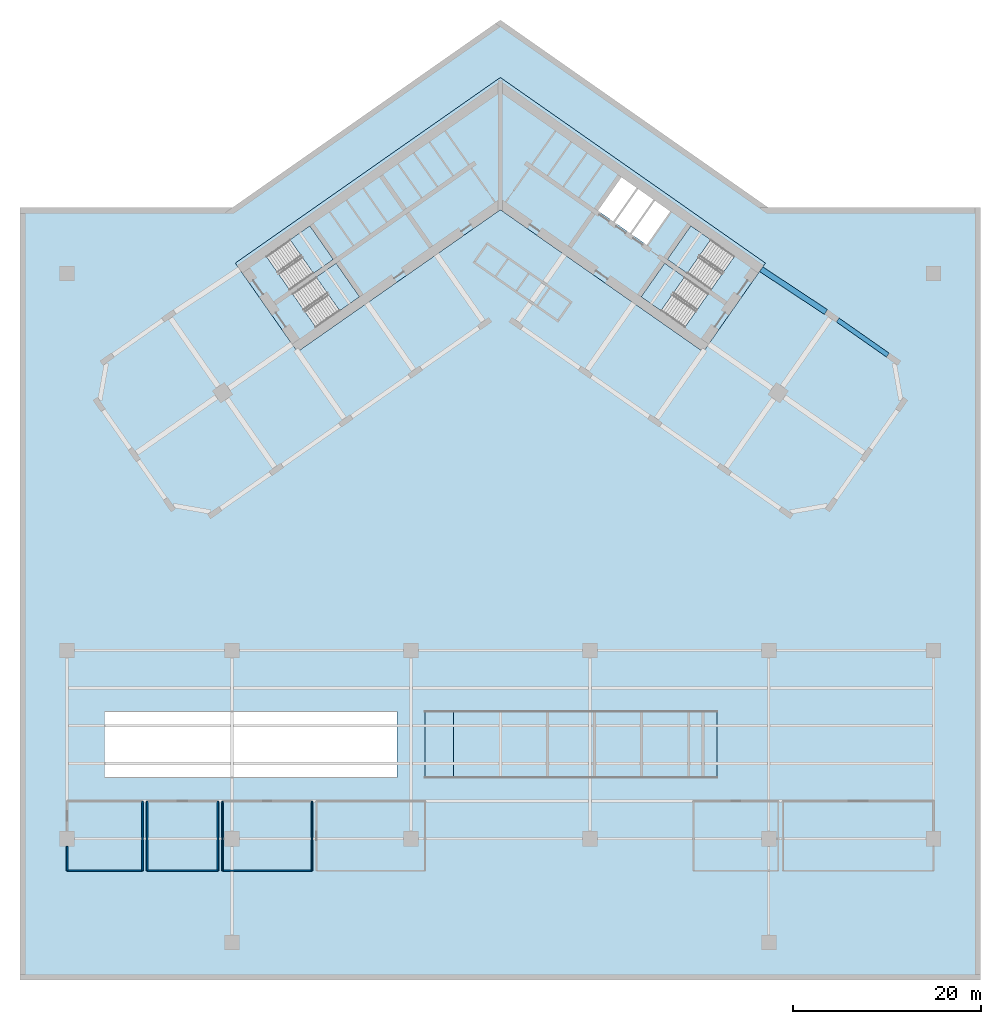
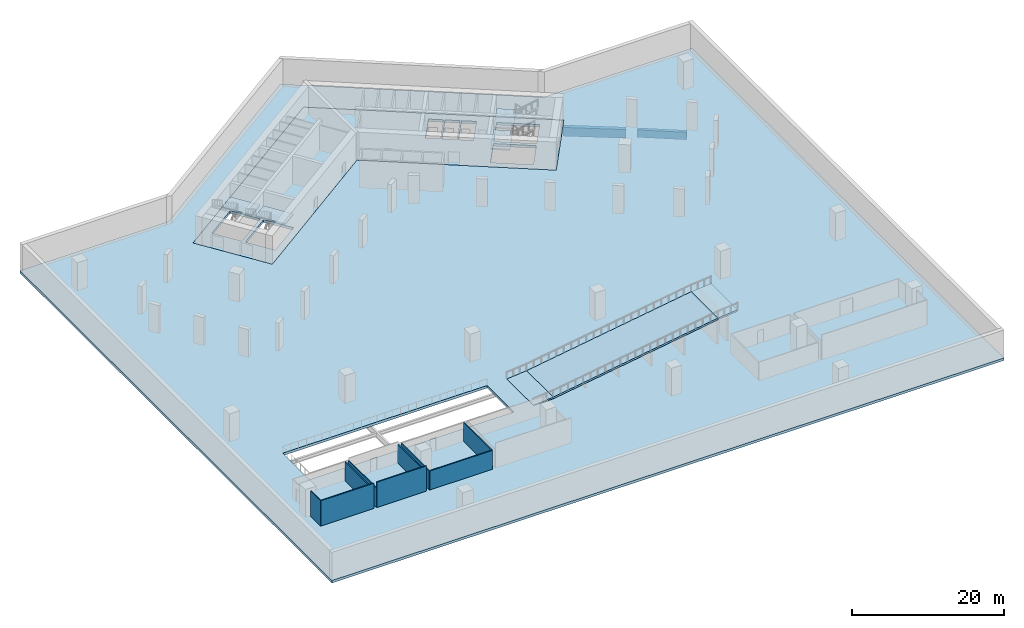
# One storey, part 2 of 11: 9 slabs, 9 walls, 2 beams, 4 elements without a shape of their own.
"""IFC4 building model written with IfcOpenShell, lengths in metres."""

from ifc_helpers import new_model, si_unit, direction, frame, frame_2d, origin, origin_2d, place, context, subcontext, project, spatial, polyline, rectangle, outline, extrude, material, layer, layer_set, material_profile, profile_set, type_object, element, aggregate, save


model = new_model("IFC4")

# Units and contexts
model_context = context("Model", 3, precision=1e-05, world=origin(), true_north=direction((0.0, 1.0)))
body_context = subcontext(model_context, "Body", "Model", "MODEL_VIEW")
ifc_project = project(units=[si_unit("LENGTHUNIT", "METRE"), si_unit("AREAUNIT", "SQUARE_METRE"), si_unit("VOLUMEUNIT", "CUBIC_METRE"), si_unit("PLANEANGLEUNIT", "RADIAN"), si_unit("MASSUNIT", "GRAM", prefix="KILO")], contexts=[model_context])

# Site, building, storey
site_placement = place(None, origin())
site = spatial("IfcSite", under=ifc_project, at=site_placement, CompositionType="ELEMENT")
building_placement = place(site_placement, origin())
building = spatial("IfcBuilding", under=site, at=building_placement, Name="Tel Ilan Convention Tower", CompositionType="ELEMENT")
storey_placement = place(building_placement, frame((0.0, 0.0, -4.5)))
storey = spatial("IfcBuildingStorey", under=building, at=storey_placement, Name="B1", CompositionType="ELEMENT", Elevation=-4.5)

# Beams
ifc_material_1 = material(Name="Concrete C40/50", Category="concrete")
ifc_material_profile_1 = material_profile(ifc_material_1, rectangle(XDim=0.5, YDim=1.199951171875, at=origin_2d()), Name="RC 500x1200")
ifc_profile_set_1 = profile_set([ifc_material_profile_1], Name="Concrete C40/50")
beam_type_1 = type_object("IfcBeamType", Name="Beam RC 500x1200 Concrete C40/50", PredefinedType="BEAM", material=ifc_profile_set_1)
beam_1_placement = place(storey_placement, frame((41.135498046875, -16.656494140625, -1.010009765625), z_axis=(-0.819178980414, 0.573537965655, 0.0), x_axis=(-0.573537965655, -0.819178980414, 0.0)))
element("IfcBeam", 1, at=beam_1_placement, inside=storey, type_object=beam_type_1, Name="B1 beam E-E-BC-E-B4", PredefinedType="BEAM", context=body_context, shape_type="SweptSolid", body=[
    extrude(rectangle(XDim=0.5, YDim=1.199951171875, at=origin_2d()), origin(), (0.0, 0.0, 1.0), 6.5),
])
ifc_material_2 = material(Name="Concrete C40/50", Category="concrete")
ifc_material_profile_2 = material_profile(ifc_material_2, rectangle(XDim=0.60009765625, YDim=1.39990234375, at=origin_2d()), Name="RC 600x1400")
ifc_profile_set_2 = profile_set([ifc_material_profile_2], Name="Concrete C40/50")
beam_type_2 = type_object("IfcBeamType", Name="Beam RC 600x1400 Concrete C40/50", PredefinedType="BEAM", material=ifc_profile_set_2)
beam_2_placement = place(storey_placement, frame((34.570556640625, -12.08447265625, -1.110107421875), z_axis=(-0.834273603487, 0.551350663847, 0.0), x_axis=(-0.551350663847, -0.834273603487, 0.0)))
element("IfcBeam", 2, at=beam_2_placement, inside=storey, type_object=beam_type_2, Name="B1 beam E-E-B4-core", PredefinedType="BEAM", context=body_context, shape_type="SweptSolid", body=[
    extrude(rectangle(XDim=0.60009765625, YDim=1.39990234375, at=origin_2d()), origin(), (0.0, 0.0, 1.0), 8.2529296875),
])

# Slabs
ifc_material_3 = material(Name="Concrete C40/50", Category="concrete")
ifc_layer_1 = layer(ifc_material_3, 0.409912109375)
ifc_layer_set_1 = layer_set([ifc_layer_1], Name="Basement Floor Slab 410 mm C40/50")
slab_type_1 = type_object("IfcSlabType", Name="Basement Floor Slab 410 mm C40/50", PredefinedType="FLOOR", material=ifc_layer_set_1)
slab_1_placement = place(storey_placement, frame((0.0, 0.0, -0.409912109375)))
element("IfcSlab", 3, at=slab_1_placement, inside=storey, type_object=slab_type_1, Name="B1 floor slab", PredefinedType="FLOOR", context=body_context, shape_type="SweptSolid", body=[
    extrude(outline(polyline([(-28.45166015625, -1.0), (0.0, 18.922119140625), (28.45166015625, -1.0), (51.0, -1.0), (51.0, -83.0), (-51.0, -83.0), (-51.0, -1.0), (-28.45166015625, -1.0)]), holes=[polyline([(21.54345703125, -16.3056640625), (28.1396484375, -6.885498046875), (0.0, 12.818115234375), (-28.1396484375, -6.885498046875), (-21.54345703125, -16.3056640625), (0.0, -1.220703125), (21.54345703125, -16.3056640625)]), polyline([(-11.0, -54.5), (-42.0, -54.5), (-42.0, -61.5), (-11.0, -61.5), (-11.0, -54.5)])]), origin(), (0.0, 0.0, 1.0), 0.409912109375),
])
ifc_material_4 = material(Name="Concrete C40/50", Category="concrete")
ifc_layer_2 = layer(ifc_material_4, 0.280029296875)
ifc_layer_set_2 = layer_set([ifc_layer_2], Name="Concrete Car Ramp Slab 280 mm C40/50")
slab_type_2 = type_object("IfcSlabType", Name="Concrete Car Ramp Slab 280 mm", PredefinedType="FLOOR", material=ifc_layer_set_2)
slab_2_placement = place(storey_placement, frame((-8.0, -58.0, 0.0), z_axis=(0.0, 0.0, 1.0), x_axis=(1.0, 0.0, 0.0)))
element("IfcSlab", 4, at=slab_2_placement, inside=storey, type_object=slab_type_2, Name="Car Park Ramp B1-L00 slab 1", PredefinedType="FLOOR", context=body_context, shape_type="SweptSolid", body=[
    extrude(outline(polyline([(0.0, 0.0), (3.0, 0.0), (3.0, 0.280029296875), (0.0, 0.0), (0.0, 0.0)])), frame((0.0, 3.5, 0.0), z_axis=(0.0, -1.0, 0.0), x_axis=(1.0, 0.0, 0.0)), (0.0, 0.0, 1.0), 7.0),
])
slab_3_placement = place(storey_placement, frame((-5.0, -61.5, 0.280029296875), z_axis=(-0.155676246479, 0.0, 0.987808132322), x_axis=(0.987808132322, 0.0, 0.155676246479)))
element("IfcSlab", 5, at=slab_3_placement, inside=storey, type_object=slab_type_2, Name="Car Park Ramp B1-L00 slab 2", PredefinedType="FLOOR", context=body_context, shape_type="SweptSolid", body=[
    extrude(outline(polyline([(0.0, 0.0), (25.308558597531455, 0.0), (25.308558597531455, 6.999999999999999), (0.0, 6.999999999999999), (0.0, 0.0)])), origin(), (-0.155676246479, 0.0, -0.987808132322), 0.280029296875),
])
slab_4_placement = place(storey_placement, frame((20.0, -61.5, 4.219970703125), z_axis=(-0.092939090985, 0.0, 0.995671796009), x_axis=(0.995671796009, 0.0, 0.092939090985)))
element("IfcSlab", 6, at=slab_4_placement, inside=storey, type_object=slab_type_2, Name="Car Park Ramp B1-L00 slab 3", PredefinedType="FLOOR", context=body_context, shape_type="SweptSolid", body=[
    extrude(outline(polyline([(0.0, 0.0), (3.0130410563263665, 0.0), (3.0130410563263665, 7.0), (0.0, 7.0), (0.0, 0.0)])), origin(), (-0.092939090985, 0.0, -0.995671796009), 0.280029296875),
])

# Stair, slab
ifc_material_5 = material(Name="Concrete C40/50", Category="concrete")
stair_type = type_object("IfcStairType", Name="Pressurised Exit Stair 24 risers 188 mm", PredefinedType="HALF_TURN_STAIR", material=ifc_material_5)
stair_1_placement = place(storey_placement, origin())
stair_1 = element("IfcStair", 7, at=stair_1_placement, inside=storey, type_object=stair_type, Name="B1 Pressurised Stair S1", PredefinedType="HALF_TURN_STAIR")
ifc_material_6 = material(Name="Concrete C40/50", Category="concrete")
ifc_layer_3 = layer(ifc_material_6, 0.199951171875)
ifc_layer_set_3 = layer_set([ifc_layer_3], Name="Concrete Stair Landing 200 mm C40/50")
slab_type_3 = type_object("IfcSlabType", Name="Concrete Stair Landing 200 mm", PredefinedType="LANDING", material=ifc_layer_set_3)
slab_5_placement = place(storey_placement, frame((0.0, 0.0, 2.050048828125)))
slab_5 = element("IfcSlab", 8, at=slab_5_placement, type_object=slab_type_3, Name="S1 landing 1", PredefinedType="LANDING", context=body_context, shape_type="SweptSolid", body=[
    extrude(outline(polyline([(-19.837158203125, -7.969482421875), (-17.7314453125, -6.494873046875), (-20.226318359375, -2.931640625), (-22.332275390625, -4.406005859375), (-19.837158203125, -7.969482421875)])), origin(), (0.0, 0.0, 1.0), 0.199951171875),
])
aggregate(stair_1, [slab_5])

stair_2_placement = place(storey_placement, origin())
stair_2 = element("IfcStair", 9, at=stair_2_placement, inside=storey, type_object=stair_type, Name="B1 Pressurised Stair S2", PredefinedType="HALF_TURN_STAIR")
slab_6_placement = place(storey_placement, frame((0.0, 0.0, 2.050048828125)))
slab_6 = element("IfcSlab", 10, at=slab_6_placement, type_object=slab_type_3, Name="S2 landing 1", PredefinedType="LANDING", context=body_context, shape_type="SweptSolid", body=[
    extrude(outline(polyline([(-17.055419921875, -11.9423828125), (-14.949462890625, -10.4677734375), (-17.444580078125, -6.904541015625), (-19.550537109375, -8.37890625), (-17.055419921875, -11.9423828125)])), origin(), (0.0, 0.0, 1.0), 0.199951171875),
])
aggregate(stair_2, [slab_6])

stair_3_placement = place(storey_placement, origin())
stair_3 = element("IfcStair", 11, at=stair_3_placement, inside=storey, type_object=stair_type, Name="B1 Pressurised Stair S3", PredefinedType="HALF_TURN_STAIR")
slab_7_placement = place(storey_placement, frame((0.0, 0.0, 2.050048828125)))
slab_7 = element("IfcSlab", 12, at=slab_7_placement, type_object=slab_type_3, Name="S3 landing 1", PredefinedType="LANDING", context=body_context, shape_type="SweptSolid", body=[
    extrude(outline(polyline([(22.332275390625, -4.406005859375), (20.226318359375, -2.931640625), (17.7314453125, -6.494873046875), (19.837158203125, -7.969482421875), (22.332275390625, -4.406005859375)])), origin(), (0.0, 0.0, 1.0), 0.199951171875),
])
aggregate(stair_3, [slab_7])

stair_4_placement = place(storey_placement, origin())
stair_4 = element("IfcStair", 13, at=stair_4_placement, inside=storey, type_object=stair_type, Name="B1 Pressurised Stair S4", PredefinedType="HALF_TURN_STAIR")
slab_8_placement = place(storey_placement, frame((0.0, 0.0, 2.050048828125)))
slab_8 = element("IfcSlab", 14, at=slab_8_placement, type_object=slab_type_3, Name="S4 landing 1", PredefinedType="LANDING", context=body_context, shape_type="SweptSolid", body=[
    extrude(outline(polyline([(19.550537109375, -8.37890625), (17.444580078125, -6.904541015625), (14.949462890625, -10.4677734375), (17.055419921875, -11.9423828125), (19.550537109375, -8.37890625)])), origin(), (0.0, 0.0, 1.0), 0.199951171875),
])
aggregate(stair_4, [slab_8])

# Slab
ifc_material_7 = material(Name="Concrete C40/50", Category="concrete")
ifc_layer_4 = layer(ifc_material_7, 0.409912109375)
ifc_layer_set_4 = layer_set([ifc_layer_4], Name="Core Floor Slab 410 mm C40/50")
slab_type_4 = type_object("IfcSlabType", Name="Core Floor Slab 410 mm C40/50", PredefinedType="FLOOR", material=ifc_layer_set_4)
slab_9_placement = place(storey_placement, frame((0.0, 0.0, -0.409912109375)))
element("IfcSlab", 15, at=slab_9_placement, inside=storey, type_object=slab_type_4, Name="B1 core floor 1", PredefinedType="FLOOR", context=body_context, shape_type="SweptSolid", body=[
    extrude(outline(polyline([(-28.1396484375, -6.885498046875), (0.0, 12.818115234375), (28.1396484375, -6.885498046875), (21.54345703125, -16.3056640625), (0.0, -1.220703125), (-21.54345703125, -16.3056640625), (-28.1396484375, -6.885498046875)]), holes=[polyline([(-22.072021484375, -10.144775390625), (-19.5771484375, -13.7080078125), (-14.949462890625, -10.4677734375), (-17.444580078125, -6.904541015625), (-22.072021484375, -10.144775390625)]), polyline([(14.949462890625, -10.4677734375), (19.5771484375, -13.7080078125), (22.072021484375, -10.144775390625), (17.444580078125, -6.904541015625), (14.949462890625, -10.4677734375)]), polyline([(-20.226318359375, -2.931640625), (-24.85400390625, -6.171875), (-22.35888671875, -9.735107421875), (-17.7314453125, -6.494873046875), (-20.226318359375, -2.931640625)]), polyline([(17.7314453125, -6.494873046875), (22.35888671875, -9.735107421875), (24.85400390625, -6.171875), (20.226318359375, -2.931640625), (17.7314453125, -6.494873046875)]), polyline([(18.03515625, -1.397216796875), (16.41748046875, -0.264404296875), (13.92236328125, -3.827880859375), (15.5400390625, -4.960693359375), (18.03515625, -1.397216796875)]), polyline([(16.25341796875, -0.149658203125), (14.6357421875, 0.983154296875), (12.140625, -2.580078125), (13.758544921875, -3.712890625), (16.25341796875, -0.149658203125)]), polyline([(14.471923828125, 1.097900390625), (12.85400390625, 2.230712890625), (10.35888671875, -1.332763671875), (11.976806640625, -2.465576171875), (14.471923828125, 1.097900390625)])]), origin(), (0.0, 0.0, 1.0), 0.409912109375),
])

# Walls
ifc_material_8 = material(Name="Plasterboard on Steel Studs", Category="steel")
ifc_layer_5 = layer(ifc_material_8, 0.14990234375)
ifc_layer_set_5 = layer_set([ifc_layer_5], Name="Fire-rated Partition 150 EI 60")
wall_type = type_object("IfcWallType", Name="Fire-rated Partition 150 EI 60", PredefinedType="PARTITIONING", material=ifc_layer_set_5)
wall_1_placement = place(storey_placement, frame((-46.0009765625, -68.820068359375, 0.0), z_axis=(0.0, 0.0, 1.0), x_axis=(0.0, -1.0, 0.0)))
element("IfcWall", 16, at=wall_1_placement, inside=storey, type_object=wall_type, Name="Partition 011", PredefinedType="PARTITIONING", context=body_context, shape_type="SweptSolid", body=[
    extrude(rectangle(XDim=2.579833984375, YDim=0.14990234375, at=frame_2d((1.2900390625, 0.0))), origin(), (0.0, 0.0, 1.0), 4.050048828125),
])
wall_2_placement = place(storey_placement, frame((-46.0, -71.40087890625, 0.0), z_axis=(0.0, 0.0, 1.0), x_axis=(1.0, 0.0, 0.0)))
element("IfcWall", 17, at=wall_2_placement, inside=storey, type_object=wall_type, Name="Partition 012", PredefinedType="PARTITIONING", context=body_context, shape_type="SweptSolid", body=[
    extrude(rectangle(XDim=8.0, YDim=0.14990234375, at=frame_2d((4.0, 0.0))), origin(), (0.0, 0.0, 1.0), 4.050048828125),
])
for number, where, z_axis, x_axis, name in (
    (18, (-37.9990234375, -71.39990234375, 0.0), (0.0, 0.0, 1.0), (0.0, 1.0, 0.0), "Partition 013"),
    (19, (-37.5009765625, -64.0, 0.0), (0.0, 0.0, 1.0), (0.0, -1.0, 0.0), "Partition 016"),
):
    element("IfcWall", number, at=place(storey_placement, frame(where, z_axis=z_axis, x_axis=x_axis)), inside=storey, type_object=wall_type, Name=name, PredefinedType="PARTITIONING", context=body_context, shape_type="SweptSolid", body=[
        extrude(rectangle(XDim=7.39990234375, YDim=0.14990234375, at=frame_2d((3.699951171875, 0.0))), origin(), (0.0, 0.0, 1.0), 3.030029296875),
    ])
wall_3_placement = place(storey_placement, frame((-37.5, -71.40087890625, 0.0), z_axis=(0.0, 0.0, 1.0), x_axis=(1.0, 0.0, 0.0)))
element("IfcWall", 20, at=wall_3_placement, inside=storey, type_object=wall_type, Name="Partition 017", PredefinedType="PARTITIONING", context=body_context, shape_type="SweptSolid", body=[
    extrude(rectangle(XDim=7.5, YDim=0.14990234375, at=frame_2d((3.75, 0.0))), origin(), (0.0, 0.0, 1.0), 4.050048828125),
])
for number, where, z_axis, x_axis, name in (
    (21, (-29.9990234375, -71.39990234375, 0.0), (0.0, 0.0, 1.0), (0.0, 1.0, 0.0), "Partition 018"),
    (22, (-29.5009765625, -64.0, 0.0), (0.0, 0.0, 1.0), (0.0, -1.0, 0.0), "Partition 020"),
):
    element("IfcWall", number, at=place(storey_placement, frame(where, z_axis=z_axis, x_axis=x_axis)), inside=storey, type_object=wall_type, Name=name, PredefinedType="PARTITIONING", context=body_context, shape_type="SweptSolid", body=[
        extrude(rectangle(XDim=7.39990234375, YDim=0.14990234375, at=frame_2d((3.699951171875, 0.0))), origin(), (0.0, 0.0, 1.0), 3.030029296875),
    ])
wall_4_placement = place(storey_placement, frame((-29.5, -71.40087890625, 0.0), z_axis=(0.0, 0.0, 1.0), x_axis=(1.0, 0.0, 0.0)))
element("IfcWall", 23, at=wall_4_placement, inside=storey, type_object=wall_type, Name="Partition 021", PredefinedType="PARTITIONING", context=body_context, shape_type="SweptSolid", body=[
    extrude(rectangle(XDim=9.5, YDim=0.14990234375, at=frame_2d((4.75, 0.0))), origin(), (0.0, 0.0, 1.0), 3.030029296875),
])
wall_5_placement = place(storey_placement, frame((-19.9990234375, -71.39990234375, 0.0), z_axis=(0.0, 0.0, 1.0), x_axis=(0.0, 1.0, 0.0)))
element("IfcWall", 24, at=wall_5_placement, inside=storey, type_object=wall_type, Name="Partition 022", PredefinedType="PARTITIONING", context=body_context, shape_type="SweptSolid", body=[
    extrude(rectangle(XDim=7.39990234375, YDim=0.14990234375, at=frame_2d((3.699951171875, 0.0))), origin(), (0.0, 0.0, 1.0), 3.030029296875),
])

save(model, "model.ifc")
